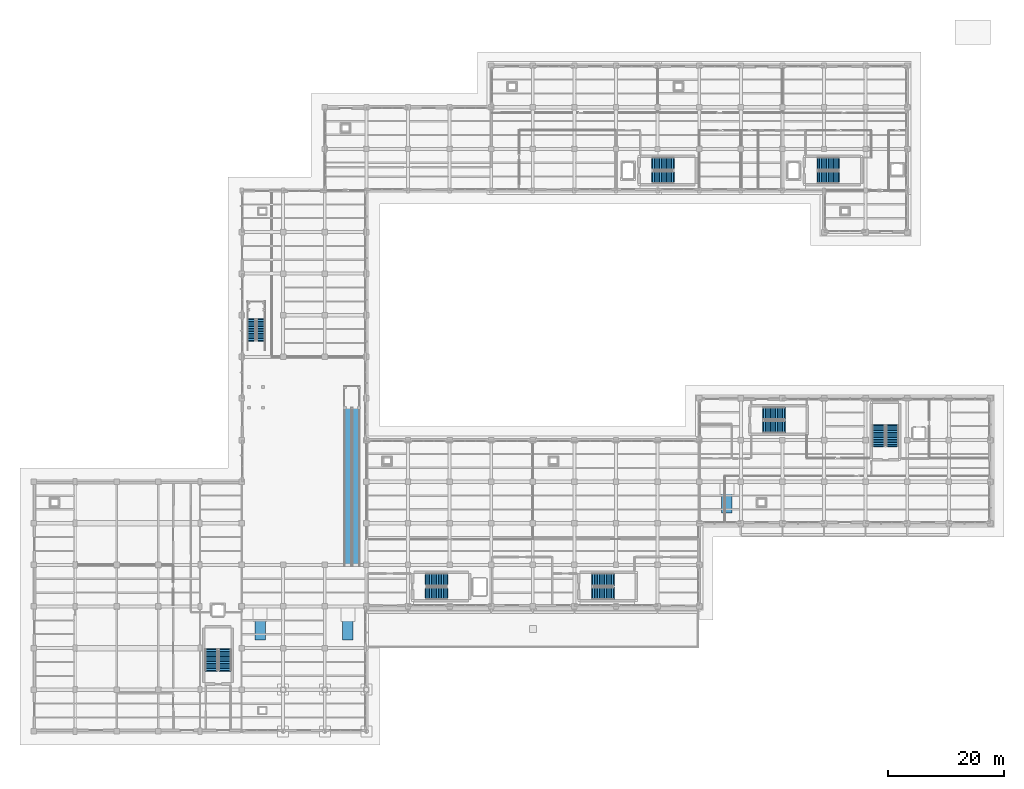
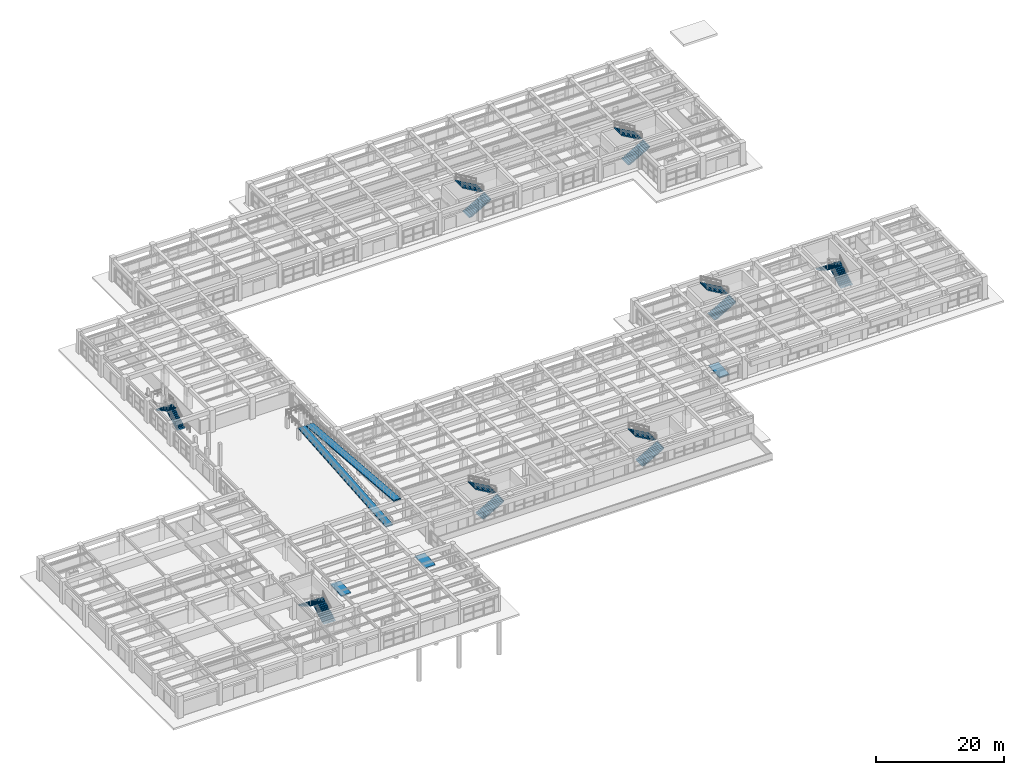
# One storey, part 49 of 64: 16 stair flights, 5 ramp flights, 12 elements without a shape of their own.
"""IFC4 building model written with IfcOpenShell, lengths in metres."""

from ifc_helpers import new_model, si_unit, direction, frame, origin, place, context, subcontext, project, spatial, polyline, outline, extrude, material, layer, layer_set, type_object, element, aggregate, save


model = new_model("IFC4")

# Units and contexts
model_context = context("Model", 3, precision=1e-05, world=origin(), true_north=direction((0.0, 1.0)))
body_context = subcontext(model_context, "Body", "Model", "MODEL_VIEW")
ifc_project = project(units=[si_unit("LENGTHUNIT", "METRE"), si_unit("AREAUNIT", "SQUARE_METRE"), si_unit("VOLUMEUNIT", "CUBIC_METRE"), si_unit("PLANEANGLEUNIT", "RADIAN"), si_unit("MASSUNIT", "GRAM", prefix="KILO")], contexts=[model_context])

# Site, building, storey
site_placement = place(None, origin())
site = spatial("IfcSite", under=ifc_project, at=site_placement, CompositionType="ELEMENT")
building_placement = place(site_placement, origin())
building = spatial("IfcBuilding", under=site, at=building_placement, Name="Solenvale Faculty of Natural Sciences", CompositionType="ELEMENT")
storey_placement = place(building_placement, origin())
storey = spatial("IfcBuildingStorey", under=building, at=storey_placement, Name="L00", CompositionType="ELEMENT", Elevation=0.0)

# Stair, stair flights
ifc_material_1 = material(Name="Concrete 40 MPa", Category="concrete")
stair_type_1 = type_object("IfcStairType", Name="STR-CORE-25R", PredefinedType="DOUBLE_RETURN_STAIR", material=ifc_material_1)
stair_1_placement = place(storey_placement, origin())
stair_1 = element("IfcStair", 1, at=stair_1_placement, inside=storey, type_object=stair_type_1, Name="L00 Protected Exit Stair ST-01", PredefinedType="DOUBLE_RETURN_STAIR")
stair_flight_type_1 = type_object("IfcStairFlightType", Name="SFL-RC-25R", PredefinedType="STRAIGHT", material=ifc_material_1)
stair_flight_1_placement = place(storey_placement, frame((33.125, 10.5400390625, 0.0), z_axis=(0.0, 0.0, 1.0), x_axis=(0.0, 1.0, 0.0)))
stair_flight_1 = element("IfcStairFlight", 2, at=stair_flight_1_placement, type_object=stair_flight_type_1, Name="ST-01 flight 1", NumberOfRisers=13, NumberOfTreads=12, PredefinedType="STRAIGHT", RiserHeight=0.173076923, TreadLength=0.3, context=body_context, shape_type="SweptSolid", body=[
    extrude(outline(polyline([(-0.159912109375, 0.0), (0.0, 0.173095703125), (0.300048828125, 0.173095703125), (0.300048828125, 0.34619140625), (0.60009765625, 0.34619140625), (0.60009765625, 0.519287109375), (0.89990234375, 0.519287109375), (0.89990234375, 0.6923828125), (1.199951171875, 0.6923828125), (1.199951171875, 0.865478515625), (1.5, 0.865478515625), (1.5, 1.03857421875), (1.800048828125, 1.03857421875), (1.800048828125, 1.21142578125), (2.10009765625, 1.21142578125), (2.10009765625, 1.384521484375), (2.39990234375, 1.384521484375), (2.39990234375, 1.5576171875), (2.699951171875, 1.5576171875), (2.699951171875, 1.730712890625), (3.0, 1.730712890625), (3.0, 1.90380859375), (3.300048828125, 1.90380859375), (3.300048828125, 2.076904296875), (3.60009765625, 2.076904296875), (3.60009765625, 2.25), (3.760009765625, 2.25), (3.760009765625, 2.10009765625), (3.60009765625, 1.90380859375), (0.300048828125, 0.0), (-0.159912109375, 0.0)])), frame((0.0, 1.074951171875, 0.0), z_axis=(0.0, -1.0, 0.0), x_axis=(1.0, 0.0, 0.0)), (0.0, 0.0, 1.0), 2.14990234375),
])
stair_flight_2_placement = place(storey_placement, frame((30.77490234375, 14.139892578125, 2.25), z_axis=(0.0, 0.0, 1.0), x_axis=(0.0, -1.0, 0.0)))
stair_flight_2 = element("IfcStairFlight", 3, at=stair_flight_2_placement, type_object=stair_flight_type_1, Name="ST-01 flight 2", NumberOfRisers=13, NumberOfTreads=12, PredefinedType="STRAIGHT", RiserHeight=0.173076923, TreadLength=0.3, context=body_context, shape_type="SweptSolid", body=[
    extrude(outline(polyline([(-0.159912109375, 0.0), (0.0, 0.173095703125), (0.300048828125, 0.173095703125), (0.300048828125, 0.34619140625), (0.60009765625, 0.34619140625), (0.60009765625, 0.519287109375), (0.89990234375, 0.519287109375), (0.89990234375, 0.6923828125), (1.199951171875, 0.6923828125), (1.199951171875, 0.865478515625), (1.5, 0.865478515625), (1.5, 1.03857421875), (1.800048828125, 1.03857421875), (1.800048828125, 1.21142578125), (2.10009765625, 1.21142578125), (2.10009765625, 1.384521484375), (2.39990234375, 1.384521484375), (2.39990234375, 1.5576171875), (2.699951171875, 1.5576171875), (2.699951171875, 1.730712890625), (3.0, 1.730712890625), (3.0, 1.90380859375), (3.300048828125, 1.90380859375), (3.300048828125, 2.076904296875), (3.60009765625, 2.076904296875), (3.60009765625, 2.25), (3.760009765625, 2.25), (3.760009765625, 2.10009765625), (3.60009765625, 1.90380859375), (0.300048828125, 0.0), (-0.159912109375, 0.0)])), frame((0.0, 1.074951171875, 0.0), z_axis=(0.0, -1.0, 0.0), x_axis=(1.0, 0.0, 0.0)), (0.0, 0.0, 1.0), 2.14990234375),
])
aggregate(stair_1, [stair_flight_1, stair_flight_2])

stair_2_placement = place(storey_placement, origin())
stair_2 = element("IfcStair", 4, at=stair_2_placement, inside=storey, type_object=stair_type_1, Name="L00 Protected Exit Stair ST-02", PredefinedType="DOUBLE_RETURN_STAIR")
stair_flight_3_placement = place(storey_placement, frame((148.625, 49.340087890625, 0.0), z_axis=(0.0, 0.0, 1.0), x_axis=(0.0, 1.0, 0.0)))
stair_flight_3 = element("IfcStairFlight", 5, at=stair_flight_3_placement, type_object=stair_flight_type_1, Name="ST-02 flight 1", NumberOfRisers=13, NumberOfTreads=12, PredefinedType="STRAIGHT", RiserHeight=0.173076923, TreadLength=0.3, context=body_context, shape_type="SweptSolid", body=[
    extrude(outline(polyline([(-0.159912109375, 0.0), (0.0, 0.173095703125), (0.300048828125, 0.173095703125), (0.300048828125, 0.34619140625), (0.60009765625, 0.34619140625), (0.60009765625, 0.519287109375), (0.89990234375, 0.519287109375), (0.89990234375, 0.6923828125), (1.199951171875, 0.6923828125), (1.199951171875, 0.865478515625), (1.5, 0.865478515625), (1.5, 1.03857421875), (1.800048828125, 1.03857421875), (1.800048828125, 1.21142578125), (2.10009765625, 1.21142578125), (2.10009765625, 1.384521484375), (2.39990234375, 1.384521484375), (2.39990234375, 1.5576171875), (2.699951171875, 1.5576171875), (2.699951171875, 1.730712890625), (3.0, 1.730712890625), (3.0, 1.90380859375), (3.300048828125, 1.90380859375), (3.300048828125, 2.076904296875), (3.60009765625, 2.076904296875), (3.60009765625, 2.25), (3.760009765625, 2.25), (3.760009765625, 2.10009765625), (3.60009765625, 1.90380859375), (0.300048828125, 0.0), (-0.159912109375, 0.0)])), frame((0.0, 1.074951171875, 0.0), z_axis=(0.0, -1.0, 0.0), x_axis=(1.0, 0.0, 0.0)), (0.0, 0.0, 1.0), 2.14990234375),
])
stair_flight_4_placement = place(storey_placement, frame((146.27490234375, 52.93994140625, 2.25), z_axis=(0.0, 0.0, 1.0), x_axis=(0.0, -1.0, 0.0)))
stair_flight_4 = element("IfcStairFlight", 6, at=stair_flight_4_placement, type_object=stair_flight_type_1, Name="ST-02 flight 2", NumberOfRisers=13, NumberOfTreads=12, PredefinedType="STRAIGHT", RiserHeight=0.173076923, TreadLength=0.3, context=body_context, shape_type="SweptSolid", body=[
    extrude(outline(polyline([(-0.159912109375, 0.0), (0.0, 0.173095703125), (0.300048828125, 0.173095703125), (0.300048828125, 0.34619140625), (0.60009765625, 0.34619140625), (0.60009765625, 0.519287109375), (0.89990234375, 0.519287109375), (0.89990234375, 0.6923828125), (1.199951171875, 0.6923828125), (1.199951171875, 0.865478515625), (1.5, 0.865478515625), (1.5, 1.03857421875), (1.800048828125, 1.03857421875), (1.800048828125, 1.21142578125), (2.10009765625, 1.21142578125), (2.10009765625, 1.384521484375), (2.39990234375, 1.384521484375), (2.39990234375, 1.5576171875), (2.699951171875, 1.5576171875), (2.699951171875, 1.730712890625), (3.0, 1.730712890625), (3.0, 1.90380859375), (3.300048828125, 1.90380859375), (3.300048828125, 2.076904296875), (3.60009765625, 2.076904296875), (3.60009765625, 2.25), (3.760009765625, 2.25), (3.760009765625, 2.10009765625), (3.60009765625, 1.90380859375), (0.300048828125, 0.0), (-0.159912109375, 0.0)])), frame((0.0, 1.074951171875, 0.0), z_axis=(0.0, -1.0, 0.0), x_axis=(1.0, 0.0, 0.0)), (0.0, 0.0, 1.0), 2.14990234375),
])
aggregate(stair_2, [stair_flight_3, stair_flight_4])

stair_3_placement = place(storey_placement, origin())
stair_3 = element("IfcStair", 7, at=stair_3_placement, inside=storey, type_object=stair_type_1, Name="L00 Protected Exit Stair ST-08", PredefinedType="DOUBLE_RETURN_STAIR")
stair_flight_5_placement = place(storey_placement, frame((126.340087890625, 52.675048828125, 0.0), z_axis=(0.0, 0.0, 1.0), x_axis=(1.0, 0.0, 0.0)))
stair_flight_5 = element("IfcStairFlight", 8, at=stair_flight_5_placement, type_object=stair_flight_type_1, Name="ST-08 flight 1", NumberOfRisers=13, NumberOfTreads=12, PredefinedType="STRAIGHT", RiserHeight=0.173076923, TreadLength=0.3, context=body_context, shape_type="SweptSolid", body=[
    extrude(outline(polyline([(-0.159912109375, 0.0), (0.0, 0.173095703125), (0.300048828125, 0.173095703125), (0.300048828125, 0.34619140625), (0.60009765625, 0.34619140625), (0.60009765625, 0.519287109375), (0.89990234375, 0.519287109375), (0.89990234375, 0.6923828125), (1.199951171875, 0.6923828125), (1.199951171875, 0.865478515625), (1.5, 0.865478515625), (1.5, 1.03857421875), (1.800048828125, 1.03857421875), (1.800048828125, 1.21142578125), (2.10009765625, 1.21142578125), (2.10009765625, 1.384521484375), (2.39990234375, 1.384521484375), (2.39990234375, 1.5576171875), (2.699951171875, 1.5576171875), (2.699951171875, 1.730712890625), (3.0, 1.730712890625), (3.0, 1.90380859375), (3.300048828125, 1.90380859375), (3.300048828125, 2.076904296875), (3.60009765625, 2.076904296875), (3.60009765625, 2.25), (3.760009765625, 2.25), (3.760009765625, 2.10009765625), (3.60009765625, 1.90380859375), (0.300048828125, 0.0), (-0.159912109375, 0.0)])), frame((0.0, 1.074951171875, 0.0), z_axis=(0.0, -1.0, 0.0), x_axis=(1.0, 0.0, 0.0)), (0.0, 0.0, 1.0), 2.14990234375),
])
stair_flight_6_placement = place(storey_placement, frame((129.93994140625, 55.02490234375, 2.25), z_axis=(0.0, 0.0, 1.0), x_axis=(-1.0, 0.0, 0.0)))
stair_flight_6 = element("IfcStairFlight", 9, at=stair_flight_6_placement, type_object=stair_flight_type_1, Name="ST-08 flight 2", NumberOfRisers=13, NumberOfTreads=12, PredefinedType="STRAIGHT", RiserHeight=0.173076923, TreadLength=0.3, context=body_context, shape_type="SweptSolid", body=[
    extrude(outline(polyline([(-0.159912109375, 0.0), (0.0, 0.173095703125), (0.300048828125, 0.173095703125), (0.300048828125, 0.34619140625), (0.60009765625, 0.34619140625), (0.60009765625, 0.519287109375), (0.89990234375, 0.519287109375), (0.89990234375, 0.6923828125), (1.199951171875, 0.6923828125), (1.199951171875, 0.865478515625), (1.5, 0.865478515625), (1.5, 1.03857421875), (1.800048828125, 1.03857421875), (1.800048828125, 1.21142578125), (2.10009765625, 1.21142578125), (2.10009765625, 1.384521484375), (2.39990234375, 1.384521484375), (2.39990234375, 1.5576171875), (2.699951171875, 1.5576171875), (2.699951171875, 1.730712890625), (3.0, 1.730712890625), (3.0, 1.90380859375), (3.300048828125, 1.90380859375), (3.300048828125, 2.076904296875), (3.60009765625, 2.076904296875), (3.60009765625, 2.25), (3.760009765625, 2.25), (3.760009765625, 2.10009765625), (3.60009765625, 1.90380859375), (0.300048828125, 0.0), (-0.159912109375, 0.0)])), frame((0.0, 1.074951171875, 0.0), z_axis=(0.0, -1.0, 0.0), x_axis=(1.0, 0.0, 0.0)), (0.0, 0.0, 1.0), 2.14990234375),
])
aggregate(stair_3, [stair_flight_5, stair_flight_6])

stair_4_placement = place(storey_placement, origin())
stair_4 = element("IfcStair", 10, at=stair_4_placement, inside=storey, type_object=stair_type_1, Name="L00 Protected Exit Stair ST-03", PredefinedType="DOUBLE_RETURN_STAIR")
stair_flight_7_placement = place(storey_placement, frame((67.93994140625, 23.875, 0.0), z_axis=(0.0, 0.0, 1.0), x_axis=(1.0, 0.0, 0.0)))
stair_flight_7 = element("IfcStairFlight", 11, at=stair_flight_7_placement, type_object=stair_flight_type_1, Name="ST-03 flight 1", NumberOfRisers=13, NumberOfTreads=12, PredefinedType="STRAIGHT", RiserHeight=0.173076923, TreadLength=0.3, context=body_context, shape_type="SweptSolid", body=[
    extrude(outline(polyline([(-0.159912109375, 0.0), (0.0, 0.173095703125), (0.300048828125, 0.173095703125), (0.300048828125, 0.34619140625), (0.60009765625, 0.34619140625), (0.60009765625, 0.519287109375), (0.89990234375, 0.519287109375), (0.89990234375, 0.6923828125), (1.199951171875, 0.6923828125), (1.199951171875, 0.865478515625), (1.5, 0.865478515625), (1.5, 1.03857421875), (1.800048828125, 1.03857421875), (1.800048828125, 1.21142578125), (2.10009765625, 1.21142578125), (2.10009765625, 1.384521484375), (2.39990234375, 1.384521484375), (2.39990234375, 1.5576171875), (2.699951171875, 1.5576171875), (2.699951171875, 1.730712890625), (3.0, 1.730712890625), (3.0, 1.90380859375), (3.300048828125, 1.90380859375), (3.300048828125, 2.076904296875), (3.60009765625, 2.076904296875), (3.60009765625, 2.25), (3.760009765625, 2.25), (3.760009765625, 2.10009765625), (3.60009765625, 1.90380859375), (0.300048828125, 0.0), (-0.159912109375, 0.0)])), frame((0.0, 1.074951171875, 0.0), z_axis=(0.0, -1.0, 0.0), x_axis=(1.0, 0.0, 0.0)), (0.0, 0.0, 1.0), 2.14990234375),
])
stair_flight_8_placement = place(storey_placement, frame((71.5400390625, 26.22509765625, 2.25), z_axis=(0.0, 0.0, 1.0), x_axis=(-1.0, 0.0, 0.0)))
stair_flight_8 = element("IfcStairFlight", 12, at=stair_flight_8_placement, type_object=stair_flight_type_1, Name="ST-03 flight 2", NumberOfRisers=13, NumberOfTreads=12, PredefinedType="STRAIGHT", RiserHeight=0.173076923, TreadLength=0.3, context=body_context, shape_type="SweptSolid", body=[
    extrude(outline(polyline([(-0.159912109375, 0.0), (0.0, 0.173095703125), (0.300048828125, 0.173095703125), (0.300048828125, 0.34619140625), (0.60009765625, 0.34619140625), (0.60009765625, 0.519287109375), (0.89990234375, 0.519287109375), (0.89990234375, 0.6923828125), (1.199951171875, 0.6923828125), (1.199951171875, 0.865478515625), (1.5, 0.865478515625), (1.5, 1.03857421875), (1.800048828125, 1.03857421875), (1.800048828125, 1.21142578125), (2.10009765625, 1.21142578125), (2.10009765625, 1.384521484375), (2.39990234375, 1.384521484375), (2.39990234375, 1.5576171875), (2.699951171875, 1.5576171875), (2.699951171875, 1.730712890625), (3.0, 1.730712890625), (3.0, 1.90380859375), (3.300048828125, 1.90380859375), (3.300048828125, 2.076904296875), (3.60009765625, 2.076904296875), (3.60009765625, 2.25), (3.760009765625, 2.25), (3.760009765625, 2.10009765625), (3.60009765625, 1.90380859375), (0.300048828125, 0.0), (-0.159912109375, 0.0)])), frame((0.0, 1.074951171875, 0.0), z_axis=(0.0, -1.0, 0.0), x_axis=(1.0, 0.0, 0.0)), (0.0, 0.0, 1.0), 2.14990234375),
])
aggregate(stair_4, [stair_flight_7, stair_flight_8])

stair_5_placement = place(storey_placement, origin())
stair_5 = element("IfcStair", 13, at=stair_5_placement, inside=storey, type_object=stair_type_1, Name="L00 Protected Exit Stair ST-07", PredefinedType="DOUBLE_RETURN_STAIR")
stair_flight_9_placement = place(storey_placement, frame((96.739990234375, 23.875, 0.0), z_axis=(0.0, 0.0, 1.0), x_axis=(1.0, 0.0, 0.0)))
stair_flight_9 = element("IfcStairFlight", 14, at=stair_flight_9_placement, type_object=stair_flight_type_1, Name="ST-07 flight 1", NumberOfRisers=13, NumberOfTreads=12, PredefinedType="STRAIGHT", RiserHeight=0.173076923, TreadLength=0.3, context=body_context, shape_type="SweptSolid", body=[
    extrude(outline(polyline([(-0.159912109375, 0.0), (0.0, 0.173095703125), (0.300048828125, 0.173095703125), (0.300048828125, 0.34619140625), (0.60009765625, 0.34619140625), (0.60009765625, 0.519287109375), (0.89990234375, 0.519287109375), (0.89990234375, 0.6923828125), (1.199951171875, 0.6923828125), (1.199951171875, 0.865478515625), (1.5, 0.865478515625), (1.5, 1.03857421875), (1.800048828125, 1.03857421875), (1.800048828125, 1.21142578125), (2.10009765625, 1.21142578125), (2.10009765625, 1.384521484375), (2.39990234375, 1.384521484375), (2.39990234375, 1.5576171875), (2.699951171875, 1.5576171875), (2.699951171875, 1.730712890625), (3.0, 1.730712890625), (3.0, 1.90380859375), (3.300048828125, 1.90380859375), (3.300048828125, 2.076904296875), (3.60009765625, 2.076904296875), (3.60009765625, 2.25), (3.760009765625, 2.25), (3.760009765625, 2.10009765625), (3.60009765625, 1.90380859375), (0.300048828125, 0.0), (-0.159912109375, 0.0)])), frame((0.0, 1.074951171875, 0.0), z_axis=(0.0, -1.0, 0.0), x_axis=(1.0, 0.0, 0.0)), (0.0, 0.0, 1.0), 2.14990234375),
])
stair_flight_10_placement = place(storey_placement, frame((100.340087890625, 26.22509765625, 2.25), z_axis=(0.0, 0.0, 1.0), x_axis=(-1.0, 0.0, 0.0)))
stair_flight_10 = element("IfcStairFlight", 15, at=stair_flight_10_placement, type_object=stair_flight_type_1, Name="ST-07 flight 2", NumberOfRisers=13, NumberOfTreads=12, PredefinedType="STRAIGHT", RiserHeight=0.173076923, TreadLength=0.3, context=body_context, shape_type="SweptSolid", body=[
    extrude(outline(polyline([(-0.159912109375, 0.0), (0.0, 0.173095703125), (0.300048828125, 0.173095703125), (0.300048828125, 0.34619140625), (0.60009765625, 0.34619140625), (0.60009765625, 0.519287109375), (0.89990234375, 0.519287109375), (0.89990234375, 0.6923828125), (1.199951171875, 0.6923828125), (1.199951171875, 0.865478515625), (1.5, 0.865478515625), (1.5, 1.03857421875), (1.800048828125, 1.03857421875), (1.800048828125, 1.21142578125), (2.10009765625, 1.21142578125), (2.10009765625, 1.384521484375), (2.39990234375, 1.384521484375), (2.39990234375, 1.5576171875), (2.699951171875, 1.5576171875), (2.699951171875, 1.730712890625), (3.0, 1.730712890625), (3.0, 1.90380859375), (3.300048828125, 1.90380859375), (3.300048828125, 2.076904296875), (3.60009765625, 2.076904296875), (3.60009765625, 2.25), (3.760009765625, 2.25), (3.760009765625, 2.10009765625), (3.60009765625, 1.90380859375), (0.300048828125, 0.0), (-0.159912109375, 0.0)])), frame((0.0, 1.074951171875, 0.0), z_axis=(0.0, -1.0, 0.0), x_axis=(1.0, 0.0, 0.0)), (0.0, 0.0, 1.0), 2.14990234375),
])
aggregate(stair_5, [stair_flight_9, stair_flight_10])

stair_6_placement = place(storey_placement, origin())
stair_6 = element("IfcStair", 16, at=stair_6_placement, inside=storey, type_object=stair_type_1, Name="L00 Protected Exit Stair ST-04", PredefinedType="DOUBLE_RETURN_STAIR")
stair_flight_11_placement = place(storey_placement, frame((107.139892578125, 95.875, 0.0), z_axis=(0.0, 0.0, 1.0), x_axis=(1.0, 0.0, 0.0)))
stair_flight_11 = element("IfcStairFlight", 17, at=stair_flight_11_placement, type_object=stair_flight_type_1, Name="ST-04 flight 1", NumberOfRisers=13, NumberOfTreads=12, PredefinedType="STRAIGHT", RiserHeight=0.173076923, TreadLength=0.3, context=body_context, shape_type="SweptSolid", body=[
    extrude(outline(polyline([(-0.159912109375, 0.0), (0.0, 0.173095703125), (0.300048828125, 0.173095703125), (0.300048828125, 0.34619140625), (0.60009765625, 0.34619140625), (0.60009765625, 0.519287109375), (0.89990234375, 0.519287109375), (0.89990234375, 0.6923828125), (1.199951171875, 0.6923828125), (1.199951171875, 0.865478515625), (1.5, 0.865478515625), (1.5, 1.03857421875), (1.800048828125, 1.03857421875), (1.800048828125, 1.21142578125), (2.10009765625, 1.21142578125), (2.10009765625, 1.384521484375), (2.39990234375, 1.384521484375), (2.39990234375, 1.5576171875), (2.699951171875, 1.5576171875), (2.699951171875, 1.730712890625), (3.0, 1.730712890625), (3.0, 1.90380859375), (3.300048828125, 1.90380859375), (3.300048828125, 2.076904296875), (3.60009765625, 2.076904296875), (3.60009765625, 2.25), (3.760009765625, 2.25), (3.760009765625, 2.10009765625), (3.60009765625, 1.90380859375), (0.300048828125, 0.0), (-0.159912109375, 0.0)])), frame((0.0, 1.074951171875, 0.0), z_axis=(0.0, -1.0, 0.0), x_axis=(1.0, 0.0, 0.0)), (0.0, 0.0, 1.0), 2.14990234375),
])
stair_flight_12_placement = place(storey_placement, frame((110.739990234375, 98.22509765625, 2.25), z_axis=(0.0, 0.0, 1.0), x_axis=(-1.0, 0.0, 0.0)))
stair_flight_12 = element("IfcStairFlight", 18, at=stair_flight_12_placement, type_object=stair_flight_type_1, Name="ST-04 flight 2", NumberOfRisers=13, NumberOfTreads=12, PredefinedType="STRAIGHT", RiserHeight=0.173076923, TreadLength=0.3, context=body_context, shape_type="SweptSolid", body=[
    extrude(outline(polyline([(-0.159912109375, 0.0), (0.0, 0.173095703125), (0.300048828125, 0.173095703125), (0.300048828125, 0.34619140625), (0.60009765625, 0.34619140625), (0.60009765625, 0.519287109375), (0.89990234375, 0.519287109375), (0.89990234375, 0.6923828125), (1.199951171875, 0.6923828125), (1.199951171875, 0.865478515625), (1.5, 0.865478515625), (1.5, 1.03857421875), (1.800048828125, 1.03857421875), (1.800048828125, 1.21142578125), (2.10009765625, 1.21142578125), (2.10009765625, 1.384521484375), (2.39990234375, 1.384521484375), (2.39990234375, 1.5576171875), (2.699951171875, 1.5576171875), (2.699951171875, 1.730712890625), (3.0, 1.730712890625), (3.0, 1.90380859375), (3.300048828125, 1.90380859375), (3.300048828125, 2.076904296875), (3.60009765625, 2.076904296875), (3.60009765625, 2.25), (3.760009765625, 2.25), (3.760009765625, 2.10009765625), (3.60009765625, 1.90380859375), (0.300048828125, 0.0), (-0.159912109375, 0.0)])), frame((0.0, 1.074951171875, 0.0), z_axis=(0.0, -1.0, 0.0), x_axis=(1.0, 0.0, 0.0)), (0.0, 0.0, 1.0), 2.14990234375),
])
aggregate(stair_6, [stair_flight_11, stair_flight_12])

stair_7_placement = place(storey_placement, origin())
stair_7 = element("IfcStair", 19, at=stair_7_placement, inside=storey, type_object=stair_type_1, Name="L00 Protected Exit Stair ST-05", PredefinedType="DOUBLE_RETURN_STAIR")
stair_flight_13_placement = place(storey_placement, frame((135.739990234375, 95.875, 0.0), z_axis=(0.0, 0.0, 1.0), x_axis=(1.0, 0.0, 0.0)))
stair_flight_13 = element("IfcStairFlight", 20, at=stair_flight_13_placement, type_object=stair_flight_type_1, Name="ST-05 flight 1", NumberOfRisers=13, NumberOfTreads=12, PredefinedType="STRAIGHT", RiserHeight=0.173076923, TreadLength=0.3, context=body_context, shape_type="SweptSolid", body=[
    extrude(outline(polyline([(-0.159912109375, 0.0), (0.0, 0.173095703125), (0.300048828125, 0.173095703125), (0.300048828125, 0.34619140625), (0.60009765625, 0.34619140625), (0.60009765625, 0.519287109375), (0.89990234375, 0.519287109375), (0.89990234375, 0.6923828125), (1.199951171875, 0.6923828125), (1.199951171875, 0.865478515625), (1.5, 0.865478515625), (1.5, 1.03857421875), (1.800048828125, 1.03857421875), (1.800048828125, 1.21142578125), (2.10009765625, 1.21142578125), (2.10009765625, 1.384521484375), (2.39990234375, 1.384521484375), (2.39990234375, 1.5576171875), (2.699951171875, 1.5576171875), (2.699951171875, 1.730712890625), (3.0, 1.730712890625), (3.0, 1.90380859375), (3.300048828125, 1.90380859375), (3.300048828125, 2.076904296875), (3.60009765625, 2.076904296875), (3.60009765625, 2.25), (3.760009765625, 2.25), (3.760009765625, 2.10009765625), (3.60009765625, 1.90380859375), (0.300048828125, 0.0), (-0.159912109375, 0.0)])), frame((0.0, 1.074951171875, 0.0), z_axis=(0.0, -1.0, 0.0), x_axis=(1.0, 0.0, 0.0)), (0.0, 0.0, 1.0), 2.14990234375),
])
stair_flight_14_placement = place(storey_placement, frame((139.340087890625, 98.22509765625, 2.25), z_axis=(0.0, 0.0, 1.0), x_axis=(-1.0, 0.0, 0.0)))
stair_flight_14 = element("IfcStairFlight", 21, at=stair_flight_14_placement, type_object=stair_flight_type_1, Name="ST-05 flight 2", NumberOfRisers=13, NumberOfTreads=12, PredefinedType="STRAIGHT", RiserHeight=0.173076923, TreadLength=0.3, context=body_context, shape_type="SweptSolid", body=[
    extrude(outline(polyline([(-0.159912109375, 0.0), (0.0, 0.173095703125), (0.300048828125, 0.173095703125), (0.300048828125, 0.34619140625), (0.60009765625, 0.34619140625), (0.60009765625, 0.519287109375), (0.89990234375, 0.519287109375), (0.89990234375, 0.6923828125), (1.199951171875, 0.6923828125), (1.199951171875, 0.865478515625), (1.5, 0.865478515625), (1.5, 1.03857421875), (1.800048828125, 1.03857421875), (1.800048828125, 1.21142578125), (2.10009765625, 1.21142578125), (2.10009765625, 1.384521484375), (2.39990234375, 1.384521484375), (2.39990234375, 1.5576171875), (2.699951171875, 1.5576171875), (2.699951171875, 1.730712890625), (3.0, 1.730712890625), (3.0, 1.90380859375), (3.300048828125, 1.90380859375), (3.300048828125, 2.076904296875), (3.60009765625, 2.076904296875), (3.60009765625, 2.25), (3.760009765625, 2.25), (3.760009765625, 2.10009765625), (3.60009765625, 1.90380859375), (0.300048828125, 0.0), (-0.159912109375, 0.0)])), frame((0.0, 1.074951171875, 0.0), z_axis=(0.0, -1.0, 0.0), x_axis=(1.0, 0.0, 0.0)), (0.0, 0.0, 1.0), 2.14990234375),
])
aggregate(stair_7, [stair_flight_13, stair_flight_14])

stair_type_2 = type_object("IfcStairType", Name="STR-FEAT-27R", PredefinedType="DOUBLE_RETURN_STAIR", material=ifc_material_1)
stair_8_placement = place(storey_placement, origin())
stair_8 = element("IfcStair", 22, at=stair_8_placement, inside=storey, type_object=stair_type_2, Name="L00 Atrium Feature Stair ST-06", PredefinedType="DOUBLE_RETURN_STAIR")
ifc_material_2 = material(Name="Steel S355", Category="steel")
stair_flight_type_2 = type_object("IfcStairFlightType", Name="SFL-STL-27R", PredefinedType="STRAIGHT", material=ifc_material_2)
stair_flight_15_placement = place(storey_placement, frame((39.375, 67.64990234375, 0.0), z_axis=(0.0, 0.0, 1.0), x_axis=(0.0, 1.0, 0.0)))
stair_flight_15 = element("IfcStairFlight", 23, at=stair_flight_15_placement, type_object=stair_flight_type_2, Name="ST-06 flight 1", NumberOfRisers=13, NumberOfTreads=12, PredefinedType="STRAIGHT", RiserHeight=0.173076923, TreadLength=0.3, context=body_context, shape_type="SweptSolid", body=[
    extrude(outline(polyline([(-0.159912109375, 0.0), (0.0, 0.173095703125), (0.300048828125, 0.173095703125), (0.300048828125, 0.34619140625), (0.60009765625, 0.34619140625), (0.60009765625, 0.519287109375), (0.89990234375, 0.519287109375), (0.89990234375, 0.6923828125), (1.199951171875, 0.6923828125), (1.199951171875, 0.865478515625), (1.5, 0.865478515625), (1.5, 1.03857421875), (1.800048828125, 1.03857421875), (1.800048828125, 1.21142578125), (2.10009765625, 1.21142578125), (2.10009765625, 1.384521484375), (2.39990234375, 1.384521484375), (2.39990234375, 1.5576171875), (2.699951171875, 1.5576171875), (2.699951171875, 1.730712890625), (3.0, 1.730712890625), (3.0, 1.90380859375), (3.300048828125, 1.90380859375), (3.300048828125, 2.076904296875), (3.60009765625, 2.076904296875), (3.60009765625, 2.25), (3.760009765625, 2.25), (3.760009765625, 2.10009765625), (3.60009765625, 1.90380859375), (0.300048828125, 0.0), (-0.159912109375, 0.0)])), frame((0.0, 0.72509765625, 0.0), z_axis=(0.0, -1.0, 0.0), x_axis=(1.0, 0.0, 0.0)), (0.0, 0.0, 1.0), 1.449951171875),
])
stair_flight_16_placement = place(storey_placement, frame((37.72509765625, 71.25, 2.25), z_axis=(0.0, 0.0, 1.0), x_axis=(0.0, -1.0, 0.0)))
stair_flight_16 = element("IfcStairFlight", 24, at=stair_flight_16_placement, type_object=stair_flight_type_2, Name="ST-06 flight 2", NumberOfRisers=13, NumberOfTreads=12, PredefinedType="STRAIGHT", RiserHeight=0.173076923, TreadLength=0.3, context=body_context, shape_type="SweptSolid", body=[
    extrude(outline(polyline([(-0.159912109375, 0.0), (0.0, 0.173095703125), (0.300048828125, 0.173095703125), (0.300048828125, 0.34619140625), (0.60009765625, 0.34619140625), (0.60009765625, 0.519287109375), (0.89990234375, 0.519287109375), (0.89990234375, 0.6923828125), (1.199951171875, 0.6923828125), (1.199951171875, 0.865478515625), (1.5, 0.865478515625), (1.5, 1.03857421875), (1.800048828125, 1.03857421875), (1.800048828125, 1.21142578125), (2.10009765625, 1.21142578125), (2.10009765625, 1.384521484375), (2.39990234375, 1.384521484375), (2.39990234375, 1.5576171875), (2.699951171875, 1.5576171875), (2.699951171875, 1.730712890625), (3.0, 1.730712890625), (3.0, 1.90380859375), (3.300048828125, 1.90380859375), (3.300048828125, 2.076904296875), (3.60009765625, 2.076904296875), (3.60009765625, 2.25), (3.760009765625, 2.25), (3.760009765625, 2.10009765625), (3.60009765625, 1.90380859375), (0.300048828125, 0.0), (-0.159912109375, 0.0)])), frame((0.0, 0.72509765625, 0.0), z_axis=(0.0, -1.0, 0.0), x_axis=(1.0, 0.0, 0.0)), (0.0, 0.0, 1.0), 1.449951171875),
])
aggregate(stair_8, [stair_flight_15, stair_flight_16])

# Ramp, ramp flights
ramp_type = type_object("IfcRampType", Name="RMP-ACC-1800", PredefinedType="STRAIGHT_RUN_RAMP", material=ifc_material_1)
ramp_1_placement = place(storey_placement, origin())
ramp_1 = element("IfcRamp", 25, at=ramp_1_placement, inside=storey, type_object=ramp_type, Name="L00 Accessible Escarpment Concourse Ramp RMP-01", PredefinedType="HALF_TURN_RAMP")
ifc_layer = layer(ifc_material_1, 0.219970703125)
ifc_layer_set = layer_set([ifc_layer], Name="Concrete 40 MPa")
ramp_flight_type = type_object("IfcRampFlightType", Name="RMF-ACC-1800", PredefinedType="STRAIGHT", material=ifc_layer_set)
ramp_flight_1_placement = place(storey_placement, frame((54.39990234375, 28.800048828125, 0.0), z_axis=(0.0, 0.0, 1.0), x_axis=(0.0, 1.0, 0.0)))
ramp_flight_1 = element("IfcRampFlight", 26, at=ramp_flight_1_placement, type_object=ramp_flight_type, Name="RMP-01 Flight 1", PredefinedType="STRAIGHT", context=body_context, shape_type="SweptSolid", body=[
    extrude(outline(polyline([(-0.179931640625, 0.0), (27.179931640625, 2.25), (27.179931640625, 2.030029296875), (-0.179931640625, -0.219970703125), (-0.179931640625, 0.0)])), frame((0.0, 0.64990234375, 0.0), z_axis=(0.0, -1.0, 0.0), x_axis=(1.0, 0.0, 0.0)), (0.0, 0.0, 1.0), 1.300048828125),
])
ramp_flight_2_placement = place(storey_placement, frame((55.800048828125, 55.800048828125, 2.25), z_axis=(0.0, 0.0, 1.0), x_axis=(0.0, -1.0, 0.0)))
ramp_flight_2 = element("IfcRampFlight", 27, at=ramp_flight_2_placement, type_object=ramp_flight_type, Name="RMP-01 Flight 2", PredefinedType="STRAIGHT", context=body_context, shape_type="SweptSolid", body=[
    extrude(outline(polyline([(-0.179931640625, 0.0), (27.179931640625, 2.25), (27.179931640625, 2.030029296875), (-0.179931640625, -0.219970703125), (-0.179931640625, 0.0)])), frame((0.0, 0.64990234375, 0.0), z_axis=(0.0, -1.0, 0.0), x_axis=(1.0, 0.0, 0.0)), (0.0, 0.0, 1.0), 1.300048828125),
])
aggregate(ramp_1, [ramp_flight_1, ramp_flight_2])

# Ramp, ramp flight
ramp_2_placement = place(storey_placement, origin())
ramp_2 = element("IfcRamp", 28, at=ramp_2_placement, inside=storey, type_object=ramp_type, Name="L00 Interior Accessible Foyer Ramp RMP-03", PredefinedType="STRAIGHT_RUN_RAMP")
ramp_flight_3_placement = place(storey_placement, frame((39.199951171875, 16.0, 0.0), z_axis=(0.0, 0.0, 1.0), x_axis=(0.0, 1.0, 0.0)))
ramp_flight_3 = element("IfcRampFlight", 29, at=ramp_flight_3_placement, type_object=ramp_flight_type, Name="RMP-03 Flight", PredefinedType="STRAIGHT", context=body_context, shape_type="SweptSolid", body=[
    extrude(outline(polyline([(-0.179931640625, 0.0), (3.179931640625, 0.25), (3.179931640625, 0.030029296875), (-0.179931640625, -0.219970703125), (-0.179931640625, 0.0)])), frame((0.0, 0.89990234375, 0.0), z_axis=(0.0, -1.0, 0.0), x_axis=(1.0, 0.0, 0.0)), (0.0, 0.0, 1.0), 1.800048828125),
])
aggregate(ramp_2, [ramp_flight_3])

ramp_3_placement = place(storey_placement, origin())
ramp_3 = element("IfcRamp", 30, at=ramp_3_placement, inside=storey, type_object=ramp_type, Name="L00 Interior Accessible Foyer Ramp RMP-04", PredefinedType="STRAIGHT_RUN_RAMP")
ramp_flight_4_placement = place(storey_placement, frame((54.39990234375, 16.0, 0.0), z_axis=(0.0, 0.0, 1.0), x_axis=(0.0, 1.0, 0.0)))
ramp_flight_4 = element("IfcRampFlight", 31, at=ramp_flight_4_placement, type_object=ramp_flight_type, Name="RMP-04 Flight", PredefinedType="STRAIGHT", context=body_context, shape_type="SweptSolid", body=[
    extrude(outline(polyline([(-0.179931640625, 0.0), (3.179931640625, 0.25), (3.179931640625, 0.030029296875), (-0.179931640625, -0.219970703125), (-0.179931640625, 0.0)])), frame((0.0, 0.89990234375, 0.0), z_axis=(0.0, -1.0, 0.0), x_axis=(1.0, 0.0, 0.0)), (0.0, 0.0, 1.0), 1.800048828125),
])
aggregate(ramp_3, [ramp_flight_4])

ramp_4_placement = place(storey_placement, origin())
ramp_4 = element("IfcRamp", 32, at=ramp_4_placement, inside=storey, type_object=ramp_type, Name="L00 Interior Accessible Foyer Ramp RMP-05", PredefinedType="STRAIGHT_RUN_RAMP")
ramp_flight_5_placement = place(storey_placement, frame((120.0, 38.0, 0.0), z_axis=(0.0, 0.0, 1.0), x_axis=(0.0, 1.0, 0.0)))
ramp_flight_5 = element("IfcRampFlight", 33, at=ramp_flight_5_placement, type_object=ramp_flight_type, Name="RMP-05 Flight", PredefinedType="STRAIGHT", context=body_context, shape_type="SweptSolid", body=[
    extrude(outline(polyline([(-0.179931640625, 0.0), (3.179931640625, 0.25), (3.179931640625, 0.030029296875), (-0.179931640625, -0.219970703125), (-0.179931640625, 0.0)])), frame((0.0, 0.89990234375, 0.0), z_axis=(0.0, -1.0, 0.0), x_axis=(1.0, 0.0, 0.0)), (0.0, 0.0, 1.0), 1.800048828125),
])
aggregate(ramp_4, [ramp_flight_5])

save(model, "model.ifc")
